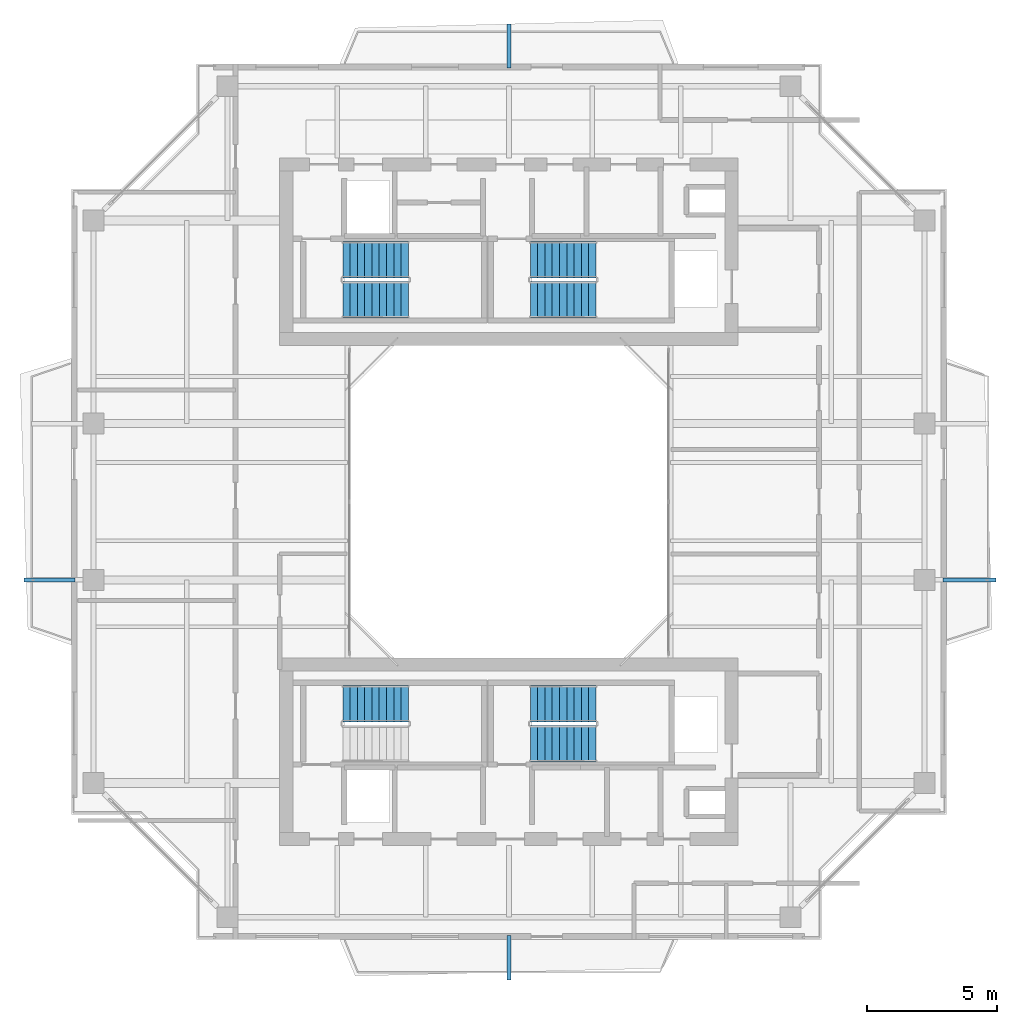
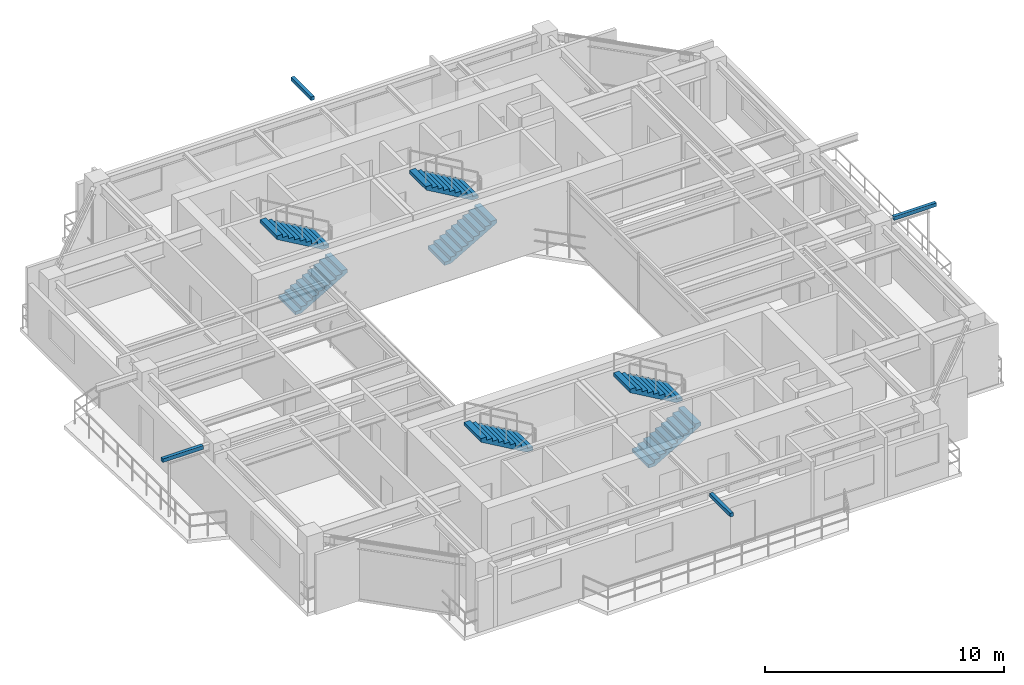
# One storey, part 13 of 15: 7 stair flights, 4 discrete accessories, 4 elements without a shape of their own.
"""IFC4 building model written with IfcOpenShell, lengths in metres."""

from ifc_helpers import new_model, si_unit, direction, frame, origin, origin_2d, place, context, subcontext, project, spatial, polyline, rectangle, outline, extrude, source, transform, mapped, material, type_object, element, aggregate, save


model = new_model("IFC4")

# Units and contexts
model_context = context("Model", 3, precision=1e-05, world=origin(), true_north=direction((0.0, 1.0)))
body_context = subcontext(model_context, "Body", "Model", "MODEL_VIEW")
ifc_project = project(units=[si_unit("LENGTHUNIT", "METRE"), si_unit("AREAUNIT", "SQUARE_METRE"), si_unit("VOLUMEUNIT", "CUBIC_METRE"), si_unit("PLANEANGLEUNIT", "RADIAN"), si_unit("MASSUNIT", "GRAM", prefix="KILO"), si_unit("THERMODYNAMICTEMPERATUREUNIT", "KELVIN"), si_unit("POWERUNIT", "WATT")], contexts=[model_context])

# Site, building, storey
site_placement = place(None, origin())
site = spatial("IfcSite", under=ifc_project, at=site_placement, CompositionType="ELEMENT")
building_placement = place(site_placement, origin())
building = spatial("IfcBuilding", under=site, at=building_placement, Name="Qiaomeng Ring Towers", CompositionType="ELEMENT")
storey_placement = place(building_placement, frame((0.0, 0.0, 219.75)))
storey = spatial("IfcBuildingStorey", under=building, at=storey_placement, Name="L64", CompositionType="ELEMENT", Elevation=219.75)

# Stair, stair flights
ifc_material_1 = material(Name="Precast concrete C40", Category="concrete")
stair_type = type_object("IfcStairType", Name="ARC-ST-325", PredefinedType="HALF_TURN_STAIR", material=ifc_material_1)
stair_1_placement = place(storey_placement, origin())
stair_1 = element("IfcStair", 1, at=stair_1_placement, inside=storey, type_object=stair_type, Name="L64 Tower 1 North Stair 1", PredefinedType="HALF_TURN_STAIR")
stair_flight_type = type_object("IfcStairFlightType", Name="ARC-ST-325-FL", PredefinedType="STRAIGHT", material=ifc_material_1)
shared_shape_1 = source(origin(), body_context, "Body", "SweptSolid", [
    extrude(outline(polyline([(0.0, 0.0), (0.0, 0.16259765625), (0.280029296875, 0.16259765625), (0.280029296875, 0.324951171875), (0.56005859375, 0.324951171875), (0.56005859375, 0.487548828125), (0.840087890625, 0.487548828125), (0.840087890625, 0.64990234375), (1.1201171875, 0.64990234375), (1.1201171875, 0.8125), (1.39990234375, 0.8125), (1.39990234375, 0.97509765625), (1.679931640625, 0.97509765625), (1.679931640625, 1.137451171875), (1.9599609375, 1.137451171875), (1.9599609375, 1.300048828125), (2.239990234375, 1.300048828125), (2.239990234375, 1.46240234375), (2.52001953125, 1.46240234375), (2.52001953125, 1.625), (2.52001953125, 1.2890625), (0.298583984375, 0.0), (0.0, 0.0)])), frame((0.0, 0.699951171875, 0.0), z_axis=(0.0, -1.0, 0.0), x_axis=(1.0, 0.0, 0.0)), (0.0, 0.0, 1.0), 1.39990234375),
])
stair_flight_1_placement = place(storey_placement, frame((12.6201171875, 30.75, 0.0), z_axis=(0.0, 0.0, 1.0), x_axis=(1.0, 0.0, 0.0)))
stair_flight_1 = element("IfcStairFlight", 2, at=stair_flight_1_placement, type_object=stair_flight_type, Name="ST1 flight 1", NumberOfRisers=10, NumberOfTreads=9, PredefinedType="STRAIGHT", RiserHeight=0.1625, TreadLength=0.28, context=body_context, shape_type="MappedRepresentation", body=[
    mapped(shared_shape_1, transform((0.0, 0.0, 0.0), x_axis=(1.0, 0.0, 0.0), y_axis=(0.0, 1.0, 0.0), z_axis=(0.0, 0.0, 1.0), scale=1.0)),
])
stair_flight_2_placement = place(storey_placement, frame((15.139892578125, 32.2900390625, 1.625), z_axis=(0.0, 0.0, 1.0), x_axis=(-1.0, 0.0, 0.0)))
stair_flight_2 = element("IfcStairFlight", 3, at=stair_flight_2_placement, type_object=stair_flight_type, Name="ST1 flight 2", NumberOfRisers=10, NumberOfTreads=9, PredefinedType="STRAIGHT", RiserHeight=0.1625, TreadLength=0.28, context=body_context, shape_type="MappedRepresentation", body=[
    mapped(shared_shape_1, transform((0.0, 0.0, 0.0), x_axis=(1.0, 0.0, 0.0), y_axis=(0.0, 1.0, 0.0), z_axis=(0.0, 0.0, 1.0), scale=1.0)),
])
aggregate(stair_1, [stair_flight_1, stair_flight_2])

stair_2_placement = place(storey_placement, origin())
stair_2 = element("IfcStair", 4, at=stair_2_placement, inside=storey, type_object=stair_type, Name="L64 Tower 1 North Stair 2", PredefinedType="HALF_TURN_STAIR")
stair_flight_3_placement = place(storey_placement, frame((19.820068359375, 30.75, 0.0), z_axis=(0.0, 0.0, 1.0), x_axis=(1.0, 0.0, 0.0)))
stair_flight_3 = element("IfcStairFlight", 5, at=stair_flight_3_placement, type_object=stair_flight_type, Name="ST2 flight 1", NumberOfRisers=10, NumberOfTreads=9, PredefinedType="STRAIGHT", RiserHeight=0.1625, TreadLength=0.28, context=body_context, shape_type="MappedRepresentation", body=[
    mapped(shared_shape_1, transform((0.0, 0.0, 0.0), x_axis=(1.0, 0.0, 0.0), y_axis=(0.0, 1.0, 0.0), z_axis=(0.0, 0.0, 1.0), scale=1.0)),
])
stair_flight_4_placement = place(storey_placement, frame((22.340087890625, 32.2900390625, 1.625), z_axis=(0.0, 0.0, 1.0), x_axis=(-1.0, 0.0, 0.0)))
stair_flight_4 = element("IfcStairFlight", 6, at=stair_flight_4_placement, type_object=stair_flight_type, Name="ST2 flight 2", NumberOfRisers=10, NumberOfTreads=9, PredefinedType="STRAIGHT", RiserHeight=0.1625, TreadLength=0.28, context=body_context, shape_type="MappedRepresentation", body=[
    mapped(shared_shape_1, transform((0.0, 0.0, 0.0), x_axis=(1.0, 0.0, 0.0), y_axis=(0.0, 1.0, 0.0), z_axis=(0.0, 0.0, 1.0), scale=1.0)),
])
aggregate(stair_2, [stair_flight_3, stair_flight_4])

# Stair, stair flight
stair_3_placement = place(storey_placement, origin())
stair_3 = element("IfcStair", 7, at=stair_3_placement, inside=storey, type_object=stair_type, Name="L64 Tower 1 South Stair 3", PredefinedType="HALF_TURN_STAIR")
stair_flight_5_placement = place(storey_placement, frame((15.139892578125, 15.25, 1.625), z_axis=(0.0, 0.0, 1.0), x_axis=(-1.0, 0.0, 0.0)))
stair_flight_5 = element("IfcStairFlight", 8, at=stair_flight_5_placement, type_object=stair_flight_type, Name="ST3 flight 2", NumberOfRisers=10, NumberOfTreads=9, PredefinedType="STRAIGHT", RiserHeight=0.1625, TreadLength=0.28, context=body_context, shape_type="MappedRepresentation", body=[
    mapped(shared_shape_1, transform((0.0, 0.0, 0.0), x_axis=(1.0, 0.0, 0.0), y_axis=(0.0, 1.0, 0.0), z_axis=(0.0, 0.0, 1.0), scale=1.0)),
])
aggregate(stair_3, [stair_flight_5])

# Stair, stair flights
stair_4_placement = place(storey_placement, origin())
stair_4 = element("IfcStair", 9, at=stair_4_placement, inside=storey, type_object=stair_type, Name="L64 Tower 1 South Stair 4", PredefinedType="HALF_TURN_STAIR")
stair_flight_6_placement = place(storey_placement, frame((19.820068359375, 13.7099609375, 0.0), z_axis=(0.0, 0.0, 1.0), x_axis=(1.0, 0.0, 0.0)))
stair_flight_6 = element("IfcStairFlight", 10, at=stair_flight_6_placement, type_object=stair_flight_type, Name="ST4 flight 1", NumberOfRisers=10, NumberOfTreads=9, PredefinedType="STRAIGHT", RiserHeight=0.1625, TreadLength=0.28, context=body_context, shape_type="MappedRepresentation", body=[
    mapped(shared_shape_1, transform((0.0, 0.0, 0.0), x_axis=(1.0, 0.0, 0.0), y_axis=(0.0, 1.0, 0.0), z_axis=(0.0, 0.0, 1.0), scale=1.0)),
])
stair_flight_7_placement = place(storey_placement, frame((22.340087890625, 15.25, 1.625), z_axis=(0.0, 0.0, 1.0), x_axis=(-1.0, 0.0, 0.0)))
stair_flight_7 = element("IfcStairFlight", 11, at=stair_flight_7_placement, type_object=stair_flight_type, Name="ST4 flight 2", NumberOfRisers=10, NumberOfTreads=9, PredefinedType="STRAIGHT", RiserHeight=0.1625, TreadLength=0.28, context=body_context, shape_type="MappedRepresentation", body=[
    mapped(shared_shape_1, transform((0.0, 0.0, 0.0), x_axis=(1.0, 0.0, 0.0), y_axis=(0.0, 1.0, 0.0), z_axis=(0.0, 0.0, 1.0), scale=1.0)),
])
aggregate(stair_4, [stair_flight_6, stair_flight_7])

# Discrete accessories
ifc_material_2 = material(Name="Stainless steel 316", Category="steel")
discrete_accessory_type = type_object("IfcDiscreteAccessoryType", Name="ARC-ACC-BRACKET", PredefinedType="BRACKET", material=ifc_material_2)
shared_shape_2 = source(origin(), body_context, "Body", "SweptSolid", [
    extrude(rectangle(XDim=2.050048828125, YDim=0.159912109375, at=origin_2d()), origin(), (0.0, 0.0, 1.0), 0.179931640625),
])
discrete_accessory_1_placement = place(storey_placement, frame((36.675048828125, 20.0, 2.89990234375), z_axis=(0.0, 0.0, 1.0), x_axis=(1.0, 0.0, 0.0)))
element("IfcDiscreteAccessory", 12, at=discrete_accessory_1_placement, inside=storey, type_object=discrete_accessory_type, Name="L64 Stainless Outer-Skin Tie Bracket E", PredefinedType="BRACKET", context=body_context, shape_type="MappedRepresentation", body=[
    mapped(shared_shape_2, transform((0.0, 0.0, 0.0), x_axis=(1.0, 0.0, 0.0), y_axis=(0.0, 1.0, 0.0), z_axis=(0.0, 0.0, 1.0), scale=1.0)),
])
shared_shape_3 = source(origin(), body_context, "Body", "SweptSolid", [
    extrude(rectangle(XDim=0.159912109375, YDim=1.7099609375, at=origin_2d()), origin(), (0.0, 0.0, 1.0), 0.179931640625),
])
discrete_accessory_2_placement = place(storey_placement, frame((19.0, 5.4951171875, 2.89990234375), z_axis=(0.0, 0.0, 1.0), x_axis=(1.0, 0.0, 0.0)))
element("IfcDiscreteAccessory", 13, at=discrete_accessory_2_placement, inside=storey, type_object=discrete_accessory_type, Name="L64 Stainless Outer-Skin Tie Bracket S", PredefinedType="BRACKET", context=body_context, shape_type="MappedRepresentation", body=[
    mapped(shared_shape_3, transform((0.0, 0.0, 0.0), x_axis=(1.0, 0.0, 0.0), y_axis=(0.0, 1.0, 0.0), z_axis=(0.0, 0.0, 1.0), scale=1.0)),
])
shared_shape_4 = source(origin(), body_context, "Body", "SweptSolid", [
    extrude(rectangle(XDim=0.159912109375, YDim=1.68994140625, at=origin_2d()), origin(), (0.0, 0.0, 1.0), 0.179931640625),
])
discrete_accessory_3_placement = place(storey_placement, frame((19.0, 40.4951171875, 2.89990234375), z_axis=(0.0, 0.0, 1.0), x_axis=(1.0, 0.0, 0.0)))
element("IfcDiscreteAccessory", 14, at=discrete_accessory_3_placement, inside=storey, type_object=discrete_accessory_type, Name="L64 Stainless Outer-Skin Tie Bracket N", PredefinedType="BRACKET", context=body_context, shape_type="MappedRepresentation", body=[
    mapped(shared_shape_4, transform((0.0, 0.0, 0.0), x_axis=(1.0, 0.0, 0.0), y_axis=(0.0, 1.0, 0.0), z_axis=(0.0, 0.0, 1.0), scale=1.0)),
])
shared_shape_5 = source(origin(), body_context, "Body", "SweptSolid", [
    extrude(rectangle(XDim=1.969970703125, YDim=0.159912109375, at=origin_2d()), origin(), (0.0, 0.0, 1.0), 0.179931640625),
])
discrete_accessory_4_placement = place(storey_placement, frame((1.364990234375, 20.0, 2.89990234375), z_axis=(0.0, 0.0, 1.0), x_axis=(1.0, 0.0, 0.0)))
element("IfcDiscreteAccessory", 15, at=discrete_accessory_4_placement, inside=storey, type_object=discrete_accessory_type, Name="L64 Stainless Outer-Skin Tie Bracket W", PredefinedType="BRACKET", context=body_context, shape_type="MappedRepresentation", body=[
    mapped(shared_shape_5, transform((0.0, 0.0, 0.0), x_axis=(1.0, 0.0, 0.0), y_axis=(0.0, 1.0, 0.0), z_axis=(0.0, 0.0, 1.0), scale=1.0)),
])

save(model, "model.ifc")
